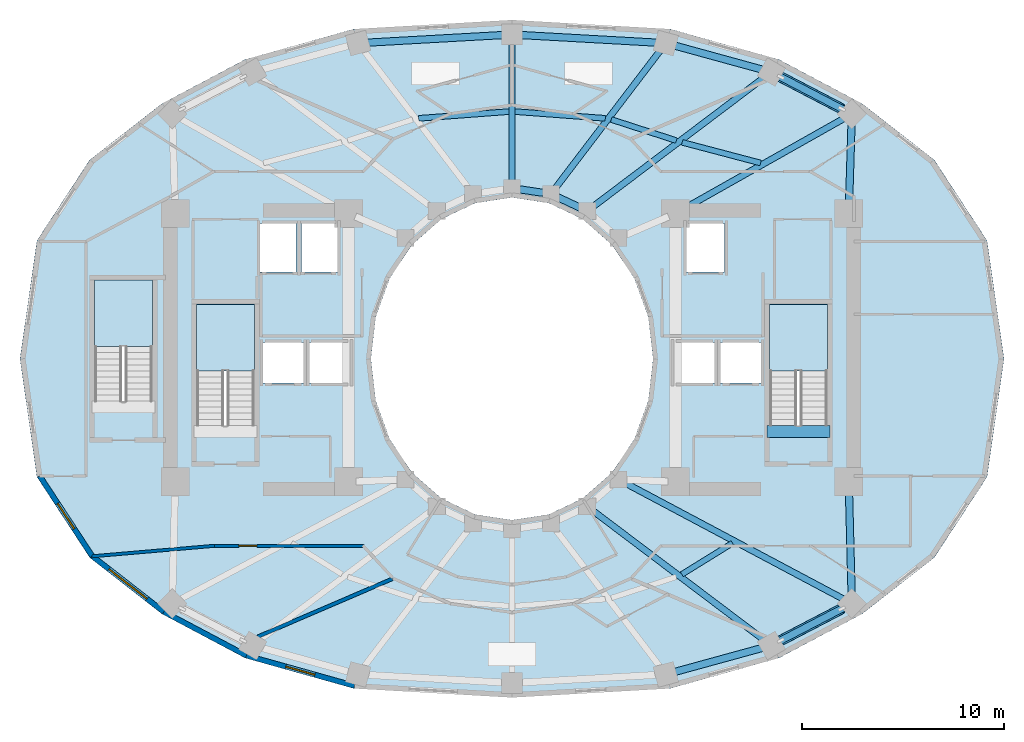
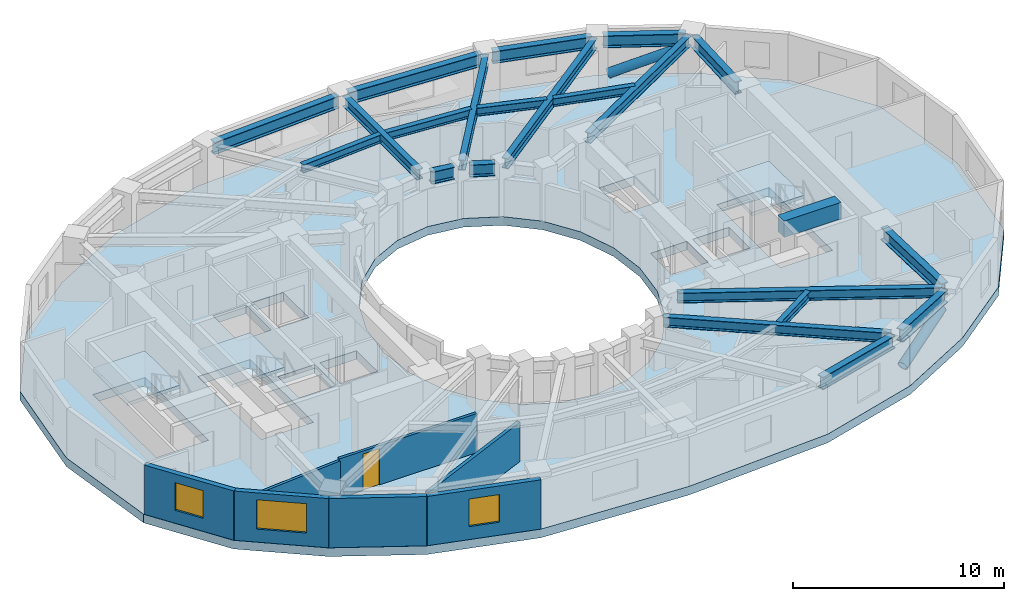
# One storey, part 2 of 9: 22 beams, 7 walls, 4 slabs, 3 windows, 2 members, 1 door, 4 openings, 3 elements without a shape of their own.
"""IFC4 building model written with IfcOpenShell, lengths in metres."""

from ifc_helpers import new_model, si_unit, direction, frame, frame_2d, origin, origin_2d, place, context, subcontext, project, spatial, polyline, rectangle, hollow_circle, i_section, outline, extrude, material, layer, layer_set, material_profile, profile_set, type_object, element, fill, aggregate, save


model = new_model("IFC4")

# Units and contexts
model_context = context("Model", 3, precision=1e-05, world=origin(), true_north=direction((0.0, 1.0)))
body_context = subcontext(model_context, "Body", "Model", "MODEL_VIEW")
ifc_project = project(units=[si_unit("LENGTHUNIT", "METRE"), si_unit("AREAUNIT", "SQUARE_METRE"), si_unit("VOLUMEUNIT", "CUBIC_METRE"), si_unit("PLANEANGLEUNIT", "RADIAN"), si_unit("MASSUNIT", "GRAM", prefix="KILO")], contexts=[model_context])

# Site, building, storey
site_placement = place(None, origin())
site = spatial("IfcSite", under=ifc_project, at=site_placement, CompositionType="ELEMENT")
building_placement = place(site_placement, origin())
building = spatial("IfcBuilding", under=site, at=building_placement, Name="Solvane Sanctuary Tower", CompositionType="ELEMENT")
storey_placement = place(building_placement, frame((0.0, 0.0, 122.800048828125)))
storey = spatial("IfcBuildingStorey", under=building, at=storey_placement, Name="L37", CompositionType="ELEMENT", Elevation=122.800048828125)

# Beams
ifc_material_1 = material(Name="Concrete C70/85", Category="concrete")
ifc_material_profile_1 = material_profile(ifc_material_1, rectangle(XDim=0.60009765625, YDim=0.949951171875, at=origin_2d()), Name="RC600X950")
ifc_profile_set_1 = profile_set([ifc_material_profile_1], Name="Concrete C70/85")
beam_type_1 = type_object("IfcBeamType", Name="Beam B-COUPLE RC600X950", PredefinedType="LINTEL", material=ifc_profile_set_1)
beam_1_placement = place(storey_placement, frame((44.64990234375, 19.399169921875, 2.625), z_axis=(1.0, 0.0, 0.0), x_axis=(0.0, 1.0, 0.0)))
element("IfcBeam", 1, at=beam_1_placement, inside=storey, type_object=beam_type_1, Name="L37 ST-2 Stair Floor Landing Trimmer", PredefinedType="LINTEL", context=body_context, shape_type="SweptSolid", body=[
    extrude(rectangle(XDim=0.60009765625, YDim=0.949951171875, at=origin_2d()), origin(), (0.0, 0.0, 1.0), 3.1201171875),
])
ifc_material_2 = material(Name="Steel ASTM A992 Grade 50", Category="steel")
ifc_material_profile_2 = material_profile(ifc_material_2, i_section(OverallWidth=0.31494140625, OverallDepth=0.575927734375, WebThickness=0.01513671875, FlangeThickness=0.0244140625, FilletRadius=0.014892578125, at=origin_2d()), Name="W21X122")
ifc_profile_set_2 = profile_set([ifc_material_profile_2], Name="Steel ASTM A992 Grade 50")
beam_type_2 = type_object("IfcBeamType", Name="Beam B-RAD-Z2 W21X122", PredefinedType="BEAM", material=ifc_profile_set_2)
beam_2_placement = place(storey_placement, frame((40.41357421875, 30.376953125, 2.58984375), z_axis=(0.870960247151, 0.491353485673, 0.0), x_axis=(-0.491353485673, 0.870960247151, 0.0)))
element("IfcBeam", 2, at=beam_2_placement, inside=storey, type_object=beam_type_2, Name="L37 Radial Composite Floor Beam 01", PredefinedType="BEAM", context=body_context, shape_type="SweptSolid", body=[
    extrude(i_section(OverallWidth=0.31494140625, OverallDepth=0.575927734375, WebThickness=0.01513671875, FlangeThickness=0.0244140625, FilletRadius=0.014892578125, at=origin_2d()), origin(), (0.0, 0.0, 1.0), 9.409912109375),
])
beam_3_placement = place(storey_placement, frame((35.95361328125, 30.495361328125, 2.58984375), z_axis=(0.798116040134, 0.602503764703, 0.0), x_axis=(-0.602503764703, 0.798116040134, 0.0)))
element("IfcBeam", 3, at=beam_3_placement, inside=storey, type_object=beam_type_2, Name="L37 Radial Composite Floor Beam 02", PredefinedType="BEAM", context=body_context, shape_type="SweptSolid", body=[
    extrude(i_section(OverallWidth=0.31494140625, OverallDepth=0.575927734375, WebThickness=0.01513671875, FlangeThickness=0.0244140625, FilletRadius=0.014892578125, at=origin_2d()), origin(), (0.0, 0.0, 1.0), 10.876953125),
])
beam_4_placement = place(storey_placement, frame((34.1005859375, 31.394287109375, 2.58984375), z_axis=(0.605972515369, 0.795485581653, 0.0), x_axis=(-0.795485581653, 0.605972515369, 0.0)))
element("IfcBeam", 4, at=beam_4_placement, inside=storey, type_object=beam_type_2, Name="L37 Radial Composite Floor Beam 03", PredefinedType="BEAM", context=body_context, shape_type="SweptSolid", body=[
    extrude(i_section(OverallWidth=0.31494140625, OverallDepth=0.575927734375, WebThickness=0.01513671875, FlangeThickness=0.0244140625, FilletRadius=0.014892578125, at=origin_2d()), origin(), (0.0, 0.0, 1.0), 8.84375),
])
beam_5_placement = place(storey_placement, frame((32.0, 31.739990234375, 2.58984375), z_axis=(0.0, 1.0, 0.0), x_axis=(-1.0, 0.0, 0.0)))
element("IfcBeam", 5, at=beam_5_placement, inside=storey, type_object=beam_type_2, Name="L37 Radial Composite Floor Beam 04", PredefinedType="BEAM", context=body_context, shape_type="SweptSolid", body=[
    extrude(i_section(OverallWidth=0.31494140625, OverallDepth=0.575927734375, WebThickness=0.01513671875, FlangeThickness=0.0244140625, FilletRadius=0.014892578125, at=origin_2d()), origin(), (0.0, 0.0, 1.0), 7.06005859375),
])
beam_6_placement = place(storey_placement, frame((35.95361328125, 15.504638671875, 2.58984375), z_axis=(0.798116040134, -0.602503764703, 0.0), x_axis=(0.602503764703, 0.798116040134, 0.0)))
element("IfcBeam", 6, at=beam_6_placement, inside=storey, type_object=beam_type_2, Name="L37 Radial Composite Floor Beam 13", PredefinedType="BEAM", context=body_context, shape_type="SweptSolid", body=[
    extrude(i_section(OverallWidth=0.31494140625, OverallDepth=0.575927734375, WebThickness=0.01513671875, FlangeThickness=0.0244140625, FilletRadius=0.014892578125, at=origin_2d()), origin(), (0.0, 0.0, 1.0), 10.876953125),
])
beam_7_placement = place(storey_placement, frame((37.522216796875, 16.886474609375, 2.58984375), z_axis=(0.882951984843, -0.469463302572, 0.0), x_axis=(0.469463302572, 0.882951984843, 0.0)))
element("IfcBeam", 7, at=beam_7_placement, inside=storey, type_object=beam_type_2, Name="L37 Radial Composite Floor Beam 14", PredefinedType="BEAM", context=body_context, shape_type="SweptSolid", body=[
    extrude(i_section(OverallWidth=0.31494140625, OverallDepth=0.575927734375, WebThickness=0.01513671875, FlangeThickness=0.0244140625, FilletRadius=0.014892578125, at=origin_2d()), origin(), (0.0, 0.0, 1.0), 12.552734375),
])
ifc_material_profile_3 = material_profile(ifc_material_2, i_section(OverallWidth=0.35498046875, OverallDepth=0.695068359375, WebThickness=0.015380859375, FlangeThickness=0.02490234375, FilletRadius=0.01806640625, at=origin_2d()), Name="W27X146")
ifc_profile_set_3 = profile_set([ifc_material_profile_3], Name="Steel ASTM A992 Grade 50")
beam_type_3 = type_object("IfcBeamType", Name="Beam B-RING-IN1 W27X146", PredefinedType="BEAM", material=ifc_profile_set_3)
beam_8_placement = place(storey_placement, frame((32.390625, 31.401611328125, 2.530517578125), z_axis=(0.989034751611, -0.147682971619, 0.0), x_axis=(0.147682971619, 0.989034751611, 0.0)))
element("IfcBeam", 8, at=beam_8_placement, inside=storey, type_object=beam_type_3, Name="L37 Inner Light-Well Ring Beam IC04-IC03", PredefinedType="BEAM", context=body_context, shape_type="SweptSolid", body=[
    extrude(i_section(OverallWidth=0.35498046875, OverallDepth=0.695068359375, WebThickness=0.015380859375, FlangeThickness=0.02490234375, FilletRadius=0.01806640625, at=origin_2d()), origin(), (0.0, 0.0, 1.0), 1.162109375),
])
beam_9_placement = place(storey_placement, frame((34.288330078125, 31.00390625, 2.530517578125), z_axis=(0.905044882818, -0.425316070804, 0.0), x_axis=(0.425316070804, 0.905044882818, 0.0)))
element("IfcBeam", 9, at=beam_9_placement, inside=storey, type_object=beam_type_3, Name="L37 Inner Light-Well Ring Beam IC03-IC02", PredefinedType="BEAM", context=body_context, shape_type="SweptSolid", body=[
    extrude(i_section(OverallWidth=0.35498046875, OverallDepth=0.695068359375, WebThickness=0.015380859375, FlangeThickness=0.02490234375, FilletRadius=0.01806640625, at=origin_2d()), origin(), (0.0, 0.0, 1.0), 1.197998046875),
])
ifc_material_profile_4 = material_profile(ifc_material_2, i_section(OverallWidth=0.280029296875, OverallDepth=0.462890625, WebThickness=0.0107421875, FlangeThickness=0.017333984375, FilletRadius=0.013916015625, at=origin_2d()), Name="W18X76")
ifc_profile_set_4 = profile_set([ifc_material_profile_4], Name="Steel ASTM A992 Grade 50")
beam_type_4 = type_object("IfcBeamType", Name="Beam B-SEC-JOIST W18X76", PredefinedType="JOIST", material=ifc_profile_set_4)
for number, where, z_axis, x_axis, name in (
    (10, (27.3720703125, 34.92333984375, 2.646484375), (0.997207316227, 0.074683120339, 0.0), (-0.074683120339, 0.997207316227, 0.0), "L37 Secondary Circumferential Joist 05-04"),
    (11, (32.152099609375, 35.258544921875, 2.646484375), (0.997207316227, -0.074683120339, 0.0), (0.074683120339, 0.997207316227, 0.0), "L37 Secondary Circumferential Joist 04-03"),
):
    element("IfcBeam", number, at=place(storey_placement, frame(where, z_axis=z_axis, x_axis=x_axis)), inside=storey, type_object=beam_type_4, Name=name, PredefinedType="JOIST", context=body_context, shape_type="SweptSolid", body=[
        extrude(i_section(OverallWidth=0.280029296875, OverallDepth=0.462890625, WebThickness=0.0107421875, FlangeThickness=0.017333984375, FilletRadius=0.013916015625, at=origin_2d()), origin(), (0.0, 0.0, 1.0), 4.48828125),
    ])
beam_10_placement = place(storey_placement, frame((36.92529296875, 34.86474609375, 2.646484375), z_axis=(0.951216534175, -0.308524075416, 0.0), x_axis=(0.308524075416, 0.951216534175, 0.0)))
element("IfcBeam", 12, at=beam_10_placement, inside=storey, type_object=beam_type_4, Name="L37 Secondary Circumferential Joist 03-02", PredefinedType="JOIST", context=body_context, shape_type="SweptSolid", body=[
    extrude(i_section(OverallWidth=0.280029296875, OverallDepth=0.462890625, WebThickness=0.0107421875, FlangeThickness=0.017333984375, FilletRadius=0.013916015625, at=origin_2d()), origin(), (0.0, 0.0, 1.0), 3.38916015625),
])
beam_11_placement = place(storey_placement, frame((40.441650390625, 33.733154296875, 2.646484375), z_axis=(0.966943832831, -0.2549894589, 0.0), x_axis=(0.2549894589, 0.966943832831, 0.0)))
element("IfcBeam", 13, at=beam_11_placement, inside=storey, type_object=beam_type_4, Name="L37 Secondary Circumferential Joist 02-01", PredefinedType="JOIST", context=body_context, shape_type="SweptSolid", body=[
    extrude(i_section(OverallWidth=0.280029296875, OverallDepth=0.462890625, WebThickness=0.0107421875, FlangeThickness=0.017333984375, FilletRadius=0.013916015625, at=origin_2d()), origin(), (0.0, 0.0, 1.0), 4.020263671875),
])
beam_12_placement = place(storey_placement, frame((40.423828125, 12.30810546875, 2.646484375), z_axis=(0.85065981691, 0.525716535687, 0.0), x_axis=(-0.525716535687, 0.85065981691, 0.0)))
element("IfcBeam", 14, at=beam_12_placement, inside=storey, type_object=beam_type_4, Name="L37 Secondary Circumferential Joist 13-14", PredefinedType="JOIST", context=body_context, shape_type="SweptSolid", body=[
    extrude(i_section(OverallWidth=0.280029296875, OverallDepth=0.462890625, WebThickness=0.0107421875, FlangeThickness=0.017333984375, FilletRadius=0.013916015625, at=origin_2d()), origin(), (0.0, 0.0, 1.0), 2.951171875),
])
ifc_material_profile_5 = material_profile(ifc_material_2, i_section(OverallWidth=0.35791015625, OverallDepth=0.7060546875, WebThickness=0.018310546875, FlangeThickness=0.0302734375, FilletRadius=0.01806640625, at=origin_2d()), Name="W27X178")
ifc_profile_set_5 = profile_set([ifc_material_profile_5], Name="Steel ASTM A992 Grade 50")
beam_type_5 = type_object("IfcBeamType", Name="Beam B-SPAND-Z2 W27X178", PredefinedType="SPANDREL", material=ifc_profile_set_5)
for number, where, z_axis, x_axis, name in (
    (15, (24.650146484375, 38.667724609375, 2.52490234375), (0.998431364179, 0.055989383129, 0.0), (-0.055989383129, 0.998431364179, 0.0), "L37 Perimeter Spandrel Beam TC05-TC04"),
    (16, (32.279541015625, 39.064208984375, 2.52490234375), (0.998431364179, -0.055989383129, 0.0), (0.055989383129, 0.998431364179, 0.0), "L37 Perimeter Spandrel Beam TC04-TC03"),
):
    element("IfcBeam", number, at=place(storey_placement, frame(where, z_axis=z_axis, x_axis=x_axis)), inside=storey, type_object=beam_type_5, Name=name, PredefinedType="SPANDREL", context=body_context, shape_type="SweptSolid", body=[
        extrude(i_section(OverallWidth=0.35791015625, OverallDepth=0.7060546875, WebThickness=0.018310546875, FlangeThickness=0.0302734375, FilletRadius=0.01806640625, at=origin_2d()), origin(), (0.0, 0.0, 1.0), 7.081298828125),
    ])
beam_13_placement = place(storey_placement, frame((39.8994140625, 38.577880859375, 2.52490234375), z_axis=(0.964367605241, -0.26456591232, 0.0), x_axis=(0.26456591232, 0.964367605241, 0.0)))
element("IfcBeam", 17, at=beam_13_placement, inside=storey, type_object=beam_type_5, Name="L37 Perimeter Spandrel Beam TC03-TC02", PredefinedType="SPANDREL", context=body_context, shape_type="SweptSolid", body=[
    extrude(i_section(OverallWidth=0.35791015625, OverallDepth=0.7060546875, WebThickness=0.018310546875, FlangeThickness=0.0302734375, FilletRadius=0.01806640625, at=origin_2d()), origin(), (0.0, 0.0, 1.0), 4.8623046875),
])
beam_14_placement = place(storey_placement, frame((45.106689453125, 37.088134765625, 2.52490234375), z_axis=(0.887014995188, -0.461740618002, 0.0), x_axis=(0.461740618002, 0.887014995188, 0.0)))
element("IfcBeam", 18, at=beam_14_placement, inside=storey, type_object=beam_type_5, Name="L37 Perimeter Spandrel Beam TC02-TC01", PredefinedType="SPANDREL", context=body_context, shape_type="SweptSolid", body=[
    extrude(i_section(OverallWidth=0.35791015625, OverallDepth=0.7060546875, WebThickness=0.018310546875, FlangeThickness=0.0302734375, FilletRadius=0.01806640625, at=origin_2d()), origin(), (0.0, 0.0, 1.0), 3.943359375),
])
beam_15_placement = place(storey_placement, frame((48.84423828125, 34.858154296875, 2.52490234375), z_axis=(-0.03093371985, -0.999521437977, 0.0), x_axis=(0.999521437977, -0.03093371985, 0.0)))
element("IfcBeam", 19, at=beam_15_placement, inside=storey, type_object=beam_type_5, Name="L37 Perimeter Spandrel Beam TC01-CE3", PredefinedType="SPANDREL", context=body_context, shape_type="SweptSolid", body=[
    extrude(i_section(OverallWidth=0.35791015625, OverallDepth=0.7060546875, WebThickness=0.018310546875, FlangeThickness=0.0302734375, FilletRadius=0.01806640625, at=origin_2d()), origin(), (0.0, 0.0, 1.0), 4.38037109375),
])
beam_16_placement = place(storey_placement, frame((39.8994140625, 7.422119140625, 2.52490234375), z_axis=(0.964367605241, 0.26456591232, 0.0), x_axis=(-0.26456591232, 0.964367605241, 0.0)))
element("IfcBeam", 20, at=beam_16_placement, inside=storey, type_object=beam_type_5, Name="L37 Perimeter Spandrel Beam TC12-TC13", PredefinedType="SPANDREL", context=body_context, shape_type="SweptSolid", body=[
    extrude(i_section(OverallWidth=0.35791015625, OverallDepth=0.7060546875, WebThickness=0.018310546875, FlangeThickness=0.0302734375, FilletRadius=0.01806640625, at=origin_2d()), origin(), (0.0, 0.0, 1.0), 4.8623046875),
])
beam_17_placement = place(storey_placement, frame((45.106689453125, 8.911865234375, 2.52490234375), z_axis=(0.887014995188, 0.461740618002, 0.0), x_axis=(-0.461740618002, 0.887014995188, 0.0)))
element("IfcBeam", 21, at=beam_17_placement, inside=storey, type_object=beam_type_5, Name="L37 Perimeter Spandrel Beam TC13-TC14", PredefinedType="SPANDREL", context=body_context, shape_type="SweptSolid", body=[
    extrude(i_section(OverallWidth=0.35791015625, OverallDepth=0.7060546875, WebThickness=0.018310546875, FlangeThickness=0.0302734375, FilletRadius=0.01806640625, at=origin_2d()), origin(), (0.0, 0.0, 1.0), 3.943359375),
])
beam_18_placement = place(storey_placement, frame((48.845947265625, 11.141845703125, 2.52490234375), z_axis=(-0.025349487585, 0.999678650107, 0.0), x_axis=(-0.999678650107, -0.025349487585, 0.0)))
element("IfcBeam", 22, at=beam_18_placement, inside=storey, type_object=beam_type_5, Name="L37 Perimeter Spandrel Beam TC14-CE2", PredefinedType="SPANDREL", context=body_context, shape_type="SweptSolid", body=[
    extrude(i_section(OverallWidth=0.35791015625, OverallDepth=0.7060546875, WebThickness=0.018310546875, FlangeThickness=0.0302734375, FilletRadius=0.01806640625, at=origin_2d()), origin(), (0.0, 0.0, 1.0), 5.47998046875),
])

# Members
ifc_material_profile_6 = material_profile(ifc_material_2, hollow_circle(Radius=0.25390625, WallThickness=0.01611328125, at=origin_2d()), Name="CHS508X16")
ifc_profile_set_6 = profile_set([ifc_material_profile_6], Name="Steel ASTM A992 Grade 50")
member_type = type_object("IfcMemberType", Name="Member M-TUBE-Z2 CHS508X16", PredefinedType="BRACE", material=ifc_profile_set_6)
for number, where, z_axis, x_axis, name in (
    (23, (45.332763671875, 36.970703125, 0.5927734375), (0.824140553465, -0.429072126665, 0.369715374651), (0.461792399626, 0.886988038052, 0.0), "L37 Perimeter Braced-Tube Diagonal NE"),
    (24, (45.332763671875, 9.029296875, 0.5927734375), (0.824140553465, 0.429072126665, 0.369715374651), (-0.461792399626, 0.886988038052, 0.0), "L37 Perimeter Braced-Tube Diagonal SE"),
):
    element("IfcMember", number, at=place(storey_placement, frame(where, z_axis=z_axis, x_axis=x_axis)), inside=storey, type_object=member_type, Name=name, PredefinedType="BRACE", context=body_context, shape_type="SweptSolid", body=[
        extrude(hollow_circle(Radius=0.25390625, WallThickness=0.01611328125, at=origin_2d()), origin(), (0.0, 0.0, 1.0), 3.6689453125),
    ])

# Stair, slab
ifc_material_3 = material(Name="Concrete C45/55", Category="concrete")
stair_type = type_object("IfcStairType", Name="Stair ST-TOW", PredefinedType="HALF_TURN_STAIR", material=ifc_material_3)
stair_1_placement = place(storey_placement, origin())
stair_1 = element("IfcStair", 25, at=stair_1_placement, inside=storey, type_object=stair_type, Name="L37 Exit Stair ST-1 West Core", PredefinedType="HALF_TURN_STAIR")
ifc_layer_1 = layer(ifc_material_3, 0.199951171875, Name="Concrete C45/55")
ifc_layer_set_1 = layer_set([ifc_layer_1], Name="Concrete C45/55")
slab_type_1 = type_object("IfcSlabType", Name="Slab SL-LAND-180", PredefinedType="LANDING", material=ifc_layer_set_1)
slab_1_placement = place(storey_placement, frame((0.0, 0.0, 1.349853515625)))
slab_1 = element("IfcSlab", 26, at=slab_1_placement, type_object=slab_type_1, Name="ST-1 landing 1", PredefinedType="LANDING", context=body_context, shape_type="SweptSolid", body=[
    extrude(outline(polyline([(19.219970703125, 22.39990234375), (19.219970703125, 25.699951171875), (16.360107421875, 25.699951171875), (16.360107421875, 22.39990234375), (19.219970703125, 22.39990234375)])), origin(), (0.0, 0.0, 1.0), 0.2001953125),
])
aggregate(stair_1, [slab_1])

stair_2_placement = place(storey_placement, origin())
stair_2 = element("IfcStair", 27, at=stair_2_placement, inside=storey, type_object=stair_type, Name="L37 Exit Stair ST-2 East Core", PredefinedType="HALF_TURN_STAIR")
slab_2_placement = place(storey_placement, frame((0.0, 0.0, 1.349853515625)))
slab_2 = element("IfcSlab", 28, at=slab_2_placement, type_object=slab_type_1, Name="ST-2 landing 1", PredefinedType="LANDING", context=body_context, shape_type="SweptSolid", body=[
    extrude(outline(polyline([(47.639892578125, 22.39990234375), (47.639892578125, 25.699951171875), (44.780029296875, 25.699951171875), (44.780029296875, 22.39990234375), (47.639892578125, 22.39990234375)])), origin(), (0.0, 0.0, 1.0), 0.2001953125),
])
aggregate(stair_2, [slab_2])

stair_3_placement = place(storey_placement, origin())
stair_3 = element("IfcStair", 29, at=stair_3_placement, inside=storey, type_object=stair_type, Name="L37 Exit Stair ST-3 Pilgrim Tower Stair", PredefinedType="HALF_TURN_STAIR")
slab_3_placement = place(storey_placement, frame((0.0, 0.0, 1.349853515625)))
slab_3 = element("IfcSlab", 30, at=slab_3_placement, type_object=slab_type_1, Name="ST-3 landing 1", PredefinedType="LANDING", context=body_context, shape_type="SweptSolid", body=[
    extrude(outline(polyline([(14.159912109375, 23.60009765625), (14.159912109375, 26.89990234375), (11.300048828125, 26.89990234375), (11.300048828125, 23.60009765625), (14.159912109375, 23.60009765625)])), origin(), (0.0, 0.0, 1.0), 0.2001953125),
])
aggregate(stair_3, [slab_3])

# Slab
ifc_material_4 = material(Name="Concrete C60/75", Category="concrete")
ifc_layer_2 = layer(ifc_material_4, 0.5, Name="Concrete C60/75")
ifc_layer_set_2 = layer_set([ifc_layer_2], Name="Concrete C60/75")
slab_type_2 = type_object("IfcSlabType", Name="Slab SL-XFER-500", PredefinedType="FLOOR", material=ifc_layer_set_2)
slab_4_placement = place(storey_placement, frame((0.0, 0.0, -0.5)))
element("IfcSlab", 31, at=slab_4_placement, inside=storey, type_object=slab_type_2, Name="L37 Primary Structural Slab", PredefinedType="FLOOR", context=body_context, shape_type="SweptSolid", body=[
    extrude(outline(polyline([(56.39990234375, 23.0), (55.556884765625, 28.86376953125), (52.94091796875, 32.8623046875), (49.365478515625, 35.650390625), (45.249267578125, 37.83544921875), (39.861328125, 39.347412109375), (32.0, 39.800048828125), (24.138671875, 39.347412109375), (18.750732421875, 37.83544921875), (14.634521484375, 35.650390625), (11.05908203125, 32.8623046875), (8.443115234375, 28.86376953125), (7.60009765625, 23.0), (8.443115234375, 17.13623046875), (11.05908203125, 13.1376953125), (14.634521484375, 10.349609375), (18.750732421875, 8.16455078125), (24.138671875, 6.652587890625), (32.0, 6.199951171875), (39.861328125, 6.652587890625), (45.249267578125, 8.16455078125), (49.365478515625, 10.349609375), (52.94091796875, 13.1376953125), (55.556884765625, 17.13623046875), (56.39990234375, 23.0)]), holes=[polyline([(38.761474609375, 20.929443359375), (38.062255859375, 19.0), (36.94970703125, 17.343017578125), (35.5, 16.07177734375), (33.811767578125, 15.272705078125), (32.0, 15.0), (30.188232421875, 15.272705078125), (28.5, 16.07177734375), (27.05029296875, 17.343017578125), (25.937744140625, 19.0), (25.238525390625, 20.929443359375), (25.0, 23.0), (25.238525390625, 25.070556640625), (25.937744140625, 27.0), (27.05029296875, 28.656982421875), (28.5, 29.92822265625), (30.188232421875, 30.727294921875), (32.0, 31.0), (33.811767578125, 30.727294921875), (35.5, 29.92822265625), (36.94970703125, 28.656982421875), (38.062255859375, 27.0), (38.761474609375, 25.070556640625), (39.0, 23.0), (38.761474609375, 20.929443359375)]), polyline([(16.360107421875, 19.699951171875), (16.360107421875, 25.699951171875), (19.219970703125, 25.699951171875), (19.219970703125, 19.699951171875), (16.360107421875, 19.699951171875)]), polyline([(44.780029296875, 19.699951171875), (44.780029296875, 25.699951171875), (47.639892578125, 25.699951171875), (47.639892578125, 19.699951171875), (44.780029296875, 19.699951171875)]), polyline([(11.300048828125, 20.89990234375), (11.300048828125, 26.89990234375), (14.159912109375, 26.89990234375), (14.159912109375, 20.89990234375), (11.300048828125, 20.89990234375)]), polyline([(19.64990234375, 23.800048828125), (21.64990234375, 23.800048828125), (21.64990234375, 21.800048828125), (19.64990234375, 21.800048828125), (19.64990234375, 23.800048828125)]), polyline([(42.35009765625, 23.800048828125), (44.35009765625, 23.800048828125), (44.35009765625, 21.800048828125), (42.35009765625, 21.800048828125), (42.35009765625, 23.800048828125)]), polyline([(21.949951171875, 23.800048828125), (23.949951171875, 23.800048828125), (23.949951171875, 21.800048828125), (21.949951171875, 21.800048828125), (21.949951171875, 23.800048828125)]), polyline([(40.050048828125, 23.800048828125), (42.050048828125, 23.800048828125), (42.050048828125, 21.800048828125), (40.050048828125, 21.800048828125), (40.050048828125, 23.800048828125)]), polyline([(19.5, 29.699951171875), (21.300048828125, 29.699951171875), (21.300048828125, 27.300048828125), (19.5, 27.300048828125), (19.5, 29.699951171875)]), polyline([(21.550048828125, 29.699951171875), (23.35009765625, 29.699951171875), (23.35009765625, 27.300048828125), (21.550048828125, 27.300048828125), (21.550048828125, 29.699951171875)]), polyline([(40.64990234375, 29.699951171875), (42.550048828125, 29.699951171875), (42.550048828125, 27.300048828125), (40.64990234375, 27.300048828125), (40.64990234375, 29.699951171875)])]), origin(), (0.0, 0.0, 1.0), 0.5),
])

# Wall, opening, door
ifc_material_5 = material(Name="Acoustic Gypsum Partition Board")
ifc_layer_3 = layer(ifc_material_5, 0.14990234375, Name="Acoustic Gypsum Partition Board")
ifc_layer_set_3 = layer_set([ifc_layer_3], Name="Acoustic Gypsum Partition Board")
wall_type_1 = type_object("IfcWallType", Name="Wall W-CORR-150", PredefinedType="PARTITIONING", material=ifc_layer_set_3)
wall_1_placement = place(storey_placement, frame((17.14990234375, 13.719970703125, 0.0), z_axis=(0.0, 0.0, 1.0), x_axis=(1.0, 0.0, 0.0)))
wall_1 = element("IfcWall", 32, at=wall_1_placement, inside=storey, type_object=wall_type_1, Name="L37 SW Corner Corridor Wall", PredefinedType="PARTITIONING", context=body_context, shape_type="SweptSolid", body=[
    extrude(rectangle(XDim=7.52001953125, YDim=0.14990234375, at=frame_2d((3.760009765625, 0.0))), origin(), (0.0, 0.0, 1.0), 2.27197265625),
])
opening_1_placement = place(wall_1_placement, frame((1.300048828125, 0.0, 0.0)))
opening_1 = element("IfcOpeningElement", 33, at=opening_1_placement, cuts=wall_1, Name="Opening D-L37-17", PredefinedType="OPENING", context=body_context, shape_type="SweptSolid", body=[
    extrude(rectangle(XDim=0.89990234375, YDim=2.10009765625, at=frame_2d((0.449951171875, 1.050048828125))), frame((0.0, 0.0849609375, 0.0), z_axis=(0.0, -1.0, 0.0), x_axis=(1.0, 0.0, 0.0)), (0.0, 0.0, 1.0), 0.169921875),
])
ifc_material_6 = material(Name="Engineered Tropical Hardwood", Category="wood")
door_type = type_object("IfcDoorType", Name="Door D-WET-900", OperationType="NOTDEFINED", PredefinedType="DOOR", material=ifc_material_6)
door_placement = place(opening_1_placement, origin())
door = element("IfcDoor", 34, at=door_placement, inside=storey, type_object=door_type, Name="L37 SW Corner Salon Door", OperationType="SINGLE_SWING_RIGHT", OverallHeight=2.10009765625, OverallWidth=0.89990234375, PredefinedType="DOOR", context=body_context, shape_type="SweptSolid", body=[
    extrude(rectangle(XDim=0.89990234375, YDim=2.10009765625, at=frame_2d((0.449951171875, 1.050048828125))), frame((0.0, 0.02490234375, 0.0), z_axis=(0.0, -1.0, 0.0), x_axis=(1.0, 0.0, 0.0)), (0.0, 0.0, 1.0), 0.050048828125),
])
fill(opening_1, door)

# Wall
wall_2_placement = place(storey_placement, frame((17.249755859375, 13.724365234375, 0.0), z_axis=(0.0, 0.0, 1.0), x_axis=(-0.996341886029, -0.085456691633, 0.0)))
element("IfcWall", 35, at=wall_2_placement, inside=storey, type_object=wall_type_1, Name="L37 SW Corner Wing Wall", PredefinedType="PARTITIONING", context=body_context, shape_type="SweptSolid", body=[
    extrude(rectangle(XDim=6.108154296875, YDim=0.14990234375, at=frame_2d((3.05419921875, 0.0))), origin(), (0.0, 0.0, 1.0), 2.141845703125),
])

# Wall, opening, window
ifc_material_7 = material(Name="Precast concrete C40/50", Category="concrete")
ifc_layer_4 = layer(ifc_material_7, 0.260009765625, Name="Precast concrete C40/50")
ifc_layer_set_4 = layer_set([ifc_layer_4], Name="Precast concrete C40/50")
wall_type_2 = type_object("IfcWallType", Name="Wall W-EXT-250", PredefinedType="STANDARD", material=ifc_layer_set_4)
wall_3_placement = place(storey_placement, frame((8.578125, 17.181396484375, 0.0), z_axis=(0.0, 0.0, 1.0), x_axis=(0.548283220945, -0.836292717672, 0.0)))
wall_3 = element("IfcWall", 36, at=wall_3_placement, inside=storey, type_object=wall_type_2, Name="L37 Ceramic-Printed Facade Wall 13", PredefinedType="STANDARD", context=body_context, shape_type="SweptSolid", body=[
    extrude(rectangle(XDim=4.744384765625, YDim=0.260009765625, at=frame_2d((2.3720703125, 0.0))), origin(), (0.0, 0.0, 1.0), 2.849853515625),
])
opening_2_placement = place(wall_3_placement, frame((1.622314453125, 0.0, 0.75)))
opening_2 = element("IfcOpeningElement", 37, at=opening_2_placement, cuts=wall_3, Name="Opening WN-OPER-1500", PredefinedType="OPENING", context=body_context, shape_type="SweptSolid", body=[
    extrude(rectangle(XDim=1.5, YDim=1.60009765625, at=frame_2d((0.75, 0.800048828125))), frame((0.0, 0.139892578125, 0.0), z_axis=(0.0, -1.0, 0.0), x_axis=(1.0, 0.0, 0.0)), (0.0, 0.0, 1.0), 0.280029296875),
])
ifc_material_8 = material(Name="Dark Ceramic-Fritted Low-E Glass", Category="glass")
window_type_1 = type_object("IfcWindowType", Name="Window WN-OPER-1500", PartitioningType="SINGLE_PANEL", PredefinedType="WINDOW", material=ifc_material_8)
window_1_placement = place(opening_2_placement, origin())
window_1 = element("IfcWindow", 38, at=window_1_placement, inside=storey, type_object=window_type_1, Name="L37 Operable Facade Window 13", OverallHeight=1.60009765625, OverallWidth=1.5, PartitioningType="SINGLE_PANEL", PredefinedType="WINDOW", context=body_context, shape_type="SweptSolid", body=[
    extrude(rectangle(XDim=1.5, YDim=1.60009765625, at=frame_2d((0.75, 0.800048828125))), frame((0.0, 0.030029296875, 0.0), z_axis=(0.0, -1.0, 0.0), x_axis=(1.0, 0.0, 0.0)), (0.0, 0.0, 1.0), 0.06005859375),
])
fill(opening_2, window_1)

wall_4_placement = place(storey_placement, frame((11.179443359375, 13.213623046875, 0.0), z_axis=(0.0, 0.0, 1.0), x_axis=(0.789127449954, -0.614229491094, 0.0)))
wall_4 = element("IfcWall", 39, at=wall_4_placement, inside=storey, type_object=wall_type_2, Name="L37 Ceramic-Printed Facade Wall 14", PredefinedType="STANDARD", context=body_context, shape_type="SweptSolid", body=[
    extrude(rectangle(XDim=4.504638671875, YDim=0.260009765625, at=frame_2d((2.25244140625, 0.0))), origin(), (0.0, 0.0, 1.0), 2.849853515625),
])
opening_3_placement = place(wall_4_placement, frame((1.05224609375, 0.0, 0.75)))
opening_3 = element("IfcOpeningElement", 40, at=opening_3_placement, cuts=wall_4, Name="Opening WN-RIB-2400", PredefinedType="OPENING", context=body_context, shape_type="SweptSolid", body=[
    extrude(rectangle(XDim=2.39990234375, YDim=1.699951171875, at=frame_2d((1.199951171875, 0.85009765625))), frame((0.0, 0.139892578125, 0.0), z_axis=(0.0, -1.0, 0.0), x_axis=(1.0, 0.0, 0.0)), (0.0, 0.0, 1.0), 0.280029296875),
])
window_type_2 = type_object("IfcWindowType", Name="Window WN-RIB-2400", PartitioningType="SINGLE_PANEL", PredefinedType="WINDOW", material=ifc_material_8)
window_2_placement = place(opening_3_placement, origin())
window_2 = element("IfcWindow", 41, at=window_2_placement, inside=storey, type_object=window_type_2, Name="L37 Operable Facade Window 14", OverallHeight=1.699951171875, OverallWidth=2.39990234375, PartitioningType="SINGLE_PANEL", PredefinedType="WINDOW", context=body_context, shape_type="SweptSolid", body=[
    extrude(rectangle(XDim=2.39990234375, YDim=1.699951171875, at=frame_2d((1.199951171875, 0.85009765625))), frame((0.0, 0.030029296875, 0.0), z_axis=(0.0, -1.0, 0.0), x_axis=(1.0, 0.0, 0.0)), (0.0, 0.0, 1.0), 0.06005859375),
])
fill(opening_3, window_2)

# Wall
wall_5_placement = place(storey_placement, frame((14.734130859375, 10.44677734375, 0.0), z_axis=(0.0, 0.0, 1.0), x_axis=(0.883668636807, -0.4681129568, 0.0)))
element("IfcWall", 42, at=wall_5_placement, inside=storey, type_object=wall_type_2, Name="L37 Ceramic-Printed Facade Wall 15", PredefinedType="STANDARD", context=body_context, shape_type="SweptSolid", body=[
    extrude(rectangle(XDim=4.63134765625, YDim=0.260009765625, at=frame_2d((2.315673828125, 0.0))), origin(), (0.0, 0.0, 1.0), 2.849853515625),
])

# Wall, opening, window
wall_6_placement = place(storey_placement, frame((18.82666015625, 8.27880859375, 0.0), z_axis=(0.0, 0.0, 1.0), x_axis=(0.962938491413, -0.269721081407, 0.0)))
wall_6 = element("IfcWall", 43, at=wall_6_placement, inside=storey, type_object=wall_type_2, Name="L37 Ceramic-Printed Facade Wall 16", PredefinedType="STANDARD", context=body_context, shape_type="SweptSolid", body=[
    extrude(rectangle(XDim=5.563232421875, YDim=0.260009765625, at=frame_2d((2.78173828125, 0.0))), origin(), (0.0, 0.0, 1.0), 2.849853515625),
])
opening_4_placement = place(wall_6_placement, frame((2.031494140625, 0.0, 0.75)))
opening_4 = element("IfcOpeningElement", 44, at=opening_4_placement, cuts=wall_6, Name="Opening WN-OPER-1500", PredefinedType="OPENING", context=body_context, shape_type="SweptSolid", body=[
    extrude(rectangle(XDim=1.5, YDim=1.60009765625, at=frame_2d((0.75, 0.800048828125))), frame((0.0, 0.139892578125, 0.0), z_axis=(0.0, -1.0, 0.0), x_axis=(1.0, 0.0, 0.0)), (0.0, 0.0, 1.0), 0.280029296875),
])
window_3_placement = place(opening_4_placement, origin())
window_3 = element("IfcWindow", 45, at=window_3_placement, inside=storey, type_object=window_type_1, Name="L37 Operable Facade Window 16", OverallHeight=1.60009765625, OverallWidth=1.5, PartitioningType="SINGLE_PANEL", PredefinedType="WINDOW", context=body_context, shape_type="SweptSolid", body=[
    extrude(rectangle(XDim=1.5, YDim=1.60009765625, at=frame_2d((0.75, 0.800048828125))), frame((0.0, 0.030029296875, 0.0), z_axis=(0.0, -1.0, 0.0), x_axis=(1.0, 0.0, 0.0)), (0.0, 0.0, 1.0), 0.06005859375),
])
fill(opening_4, window_3)

# Wall
ifc_layer_5 = layer(ifc_material_5, 0.179931640625, Name="Acoustic Gypsum Partition Board")
ifc_layer_set_5 = layer_set([ifc_layer_5], Name="Acoustic Gypsum Partition Board")
wall_type_3 = type_object("IfcWallType", Name="Wall W-UNIT-180", PredefinedType="PARTITIONING", material=ifc_layer_set_5)
wall_7_placement = place(storey_placement, frame((26.05859375, 12.08203125, 0.0), z_axis=(0.0, 0.0, 1.0), x_axis=(-0.918836579087, -0.394638240584, 0.0)))
element("IfcWall", 46, at=wall_7_placement, inside=storey, type_object=wall_type_3, Name="L37 Radial Compartment Wall 240", PredefinedType="PARTITIONING", context=body_context, shape_type="SweptSolid", body=[
    extrude(rectangle(XDim=7.2529296875, YDim=0.179931640625, at=frame_2d((3.62646484375, 0.0))), origin(), (0.0, 0.0, 1.0), 2.27197265625),
])

save(model, "model.ifc")
